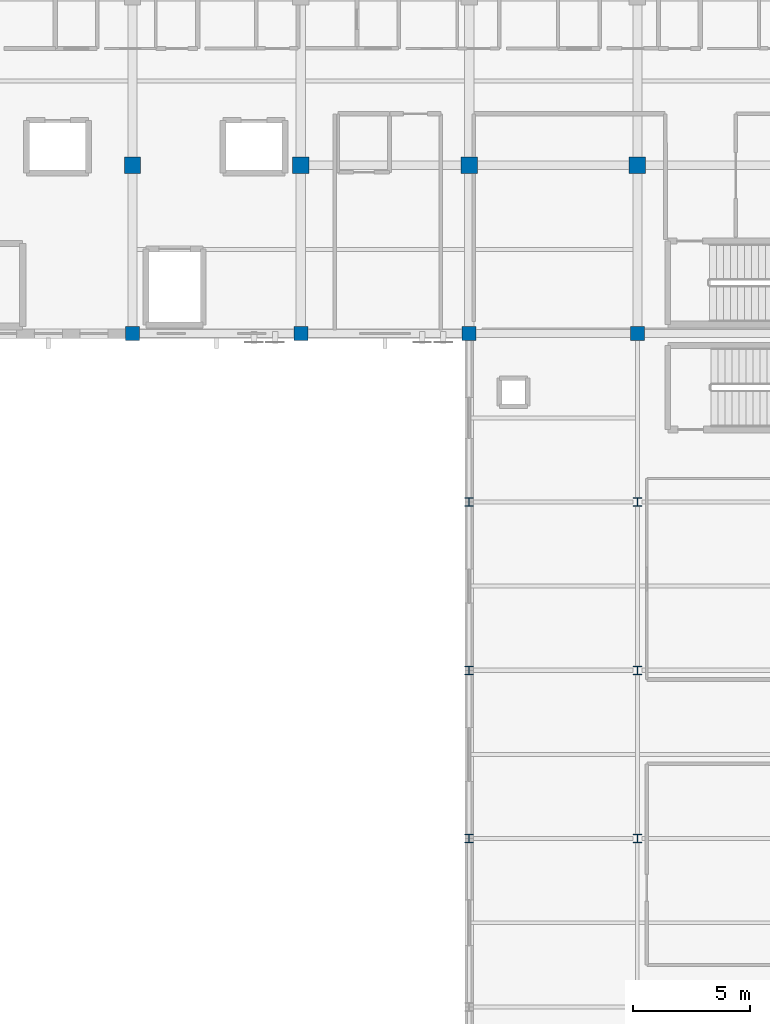
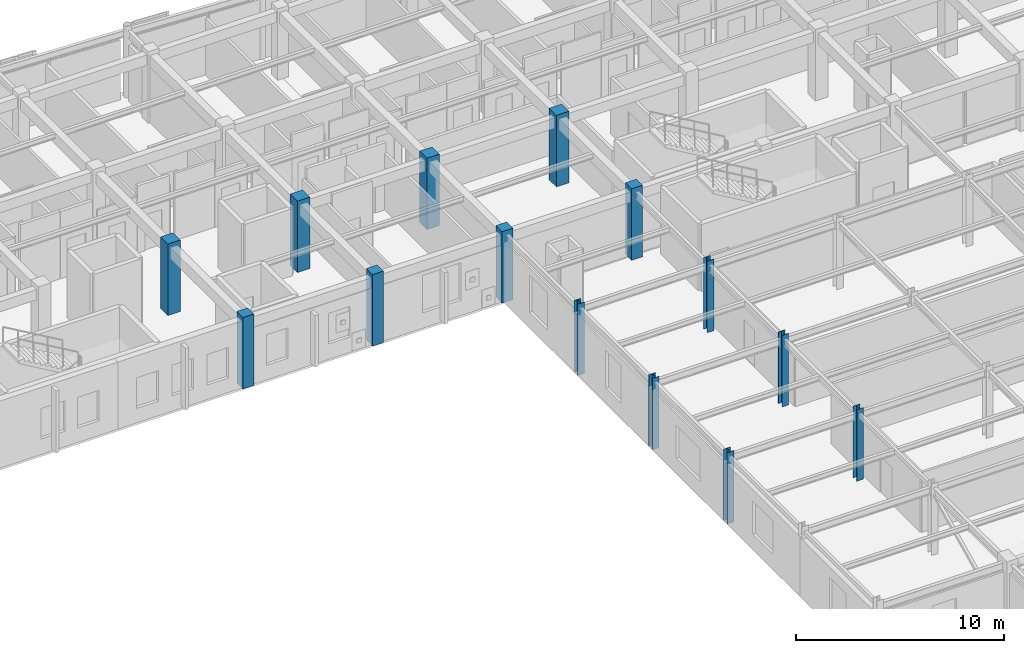
# One storey, part 10 of 113: 14 columns.
"""IFC4 building model written with IfcOpenShell, lengths in metres."""

from ifc_helpers import new_model, si_unit, direction, frame, origin, origin_2d, place, context, subcontext, project, spatial, rectangle, i_section, extrude, material, material_profile, profile_set, type_object, element, save


model = new_model("IFC4")

# Units and contexts
model_context = context("Model", 3, precision=1e-05, world=origin(), true_north=direction((0.0, 1.0)))
body_context = subcontext(model_context, "Body", "Model", "MODEL_VIEW")
ifc_project = project(units=[si_unit("LENGTHUNIT", "METRE"), si_unit("AREAUNIT", "SQUARE_METRE"), si_unit("VOLUMEUNIT", "CUBIC_METRE"), si_unit("PLANEANGLEUNIT", "RADIAN"), si_unit("MASSUNIT", "GRAM", prefix="KILO")], contexts=[model_context])

# Site, building, storey
site_placement = place(None, origin())
site = spatial("IfcSite", under=ifc_project, at=site_placement, CompositionType="ELEMENT")
building_placement = place(site_placement, origin())
building = spatial("IfcBuilding", under=site, at=building_placement, Name="Carrowvane Square Congress Hotel", CompositionType="ELEMENT")
storey_placement = place(building_placement, frame((0.0, 0.0, 15.0)))
storey = spatial("IfcBuildingStorey", under=building, at=storey_placement, Name="L03", CompositionType="ELEMENT", Elevation=15.0)

# Columns
ifc_material_1 = material(Name="Concrete C40/50", Category="concrete")
ifc_material_profile_1 = material_profile(ifc_material_1, rectangle(XDim=0.60009765625, YDim=0.60009765625, at=origin_2d()), Name="RC 600x600")
ifc_profile_set_1 = profile_set([ifc_material_profile_1], Name="Concrete C40/50")
column_type_1 = type_object("IfcColumnType", Name="COL-RC-600", PredefinedType="COLUMN", material=ifc_profile_set_1)
for number, where, z_axis, x_axis, name in (
    (1, (112.39990234375, 91.800048828125, 0.0), (0.0, 0.0, 1.0), (1.0, 0.0, 0.0), "L03 column 15/N"),
    (2, (119.60009765625, 91.800048828125, 0.0), (0.0, 0.0, 1.0), (1.0, 0.0, 0.0), "L03 column 16/N"),
    (3, (126.800048828125, 91.800048828125, 0.0), (0.0, 0.0, 1.0), (1.0, 0.0, 0.0), "L03 column 17/N"),
    (4, (134.0, 91.800048828125, 0.0), (0.0, 0.0, 1.0), (1.0, 0.0, 0.0), "L03 column 18/N"),
):
    element("IfcColumn", number, at=place(storey_placement, frame(where, z_axis=z_axis, x_axis=x_axis)), inside=storey, type_object=column_type_1, Name=name, PredefinedType="COLUMN", context=body_context, shape_type="SweptSolid", body=[
        extrude(rectangle(XDim=0.60009765625, YDim=0.60009765625, at=origin_2d()), origin(), (0.0, 0.0, 1.0), 4.199951171875),
    ])
ifc_material_2 = material(Name="Concrete C40/50", Category="concrete")
ifc_material_profile_2 = material_profile(ifc_material_2, rectangle(XDim=0.699951171875, YDim=0.699951171875, at=origin_2d()), Name="RC 700x700")
ifc_profile_set_2 = profile_set([ifc_material_profile_2], Name="Concrete C40/50")
column_type_2 = type_object("IfcColumnType", Name="COL-RC-700", PredefinedType="COLUMN", material=ifc_profile_set_2)
for number, where, z_axis, x_axis, name in (
    (5, (112.39990234375, 99.0, 0.0), (0.0, 0.0, 1.0), (1.0, 0.0, 0.0), "L03 column 15/P"),
    (6, (119.60009765625, 99.0, 0.0), (0.0, 0.0, 1.0), (1.0, 0.0, 0.0), "L03 column 16/P"),
    (7, (126.800048828125, 99.0, 0.0), (0.0, 0.0, 1.0), (1.0, 0.0, 0.0), "L03 column 17/P"),
    (8, (134.0, 99.0, 0.0), (0.0, 0.0, 1.0), (1.0, 0.0, 0.0), "L03 column 18/P"),
):
    element("IfcColumn", number, at=place(storey_placement, frame(where, z_axis=z_axis, x_axis=x_axis)), inside=storey, type_object=column_type_2, Name=name, PredefinedType="COLUMN", context=body_context, shape_type="SweptSolid", body=[
        extrude(rectangle(XDim=0.699951171875, YDim=0.699951171875, at=origin_2d()), origin(), (0.0, 0.0, 1.0), 4.199951171875),
    ])
ifc_material_3 = material(Name="Steel S355", Category="steel")
ifc_material_profile_3 = material_profile(ifc_material_3, i_section(OverallWidth=0.37060546875, OverallDepth=0.362060546875, WebThickness=0.01220703125, FlangeThickness=0.020751953125, FilletRadius=0.01513671875, at=origin_2d()), Name="UKC 356x368x153")
ifc_profile_set_3 = profile_set([ifc_material_profile_3], Name="Steel S355")
column_type_3 = type_object("IfcColumnType", Name="COL-ST-UKC356", PredefinedType="COLUMN", material=ifc_profile_set_3)
for number, where, z_axis, x_axis, name in (
    (9, (126.800048828125, 70.199951171875, 0.0), (0.0, 0.0, 1.0), (1.0, 0.0, 0.0), "L03 column 17/K"),
    (10, (126.800048828125, 77.39990234375, 0.0), (0.0, 0.0, 1.0), (1.0, 0.0, 0.0), "L03 column 17/L"),
    (11, (126.800048828125, 84.60009765625, 0.0), (0.0, 0.0, 1.0), (1.0, 0.0, 0.0), "L03 column 17/M"),
    (12, (134.0, 70.199951171875, 0.0), (0.0, 0.0, 1.0), (1.0, 0.0, 0.0), "L03 column 18/K"),
    (13, (134.0, 77.39990234375, 0.0), (0.0, 0.0, 1.0), (1.0, 0.0, 0.0), "L03 column 18/L"),
    (14, (134.0, 84.60009765625, 0.0), (0.0, 0.0, 1.0), (1.0, 0.0, 0.0), "L03 column 18/M"),
):
    element("IfcColumn", number, at=place(storey_placement, frame(where, z_axis=z_axis, x_axis=x_axis)), inside=storey, type_object=column_type_3, Name=name, PredefinedType="COLUMN", context=body_context, shape_type="SweptSolid", body=[
        extrude(i_section(OverallWidth=0.37060546875, OverallDepth=0.362060546875, WebThickness=0.01220703125, FlangeThickness=0.020751953125, FilletRadius=0.01513671875, at=origin_2d()), origin(), (0.0, 0.0, 1.0), 4.199951171875),
    ])

save(model, "model.ifc")
